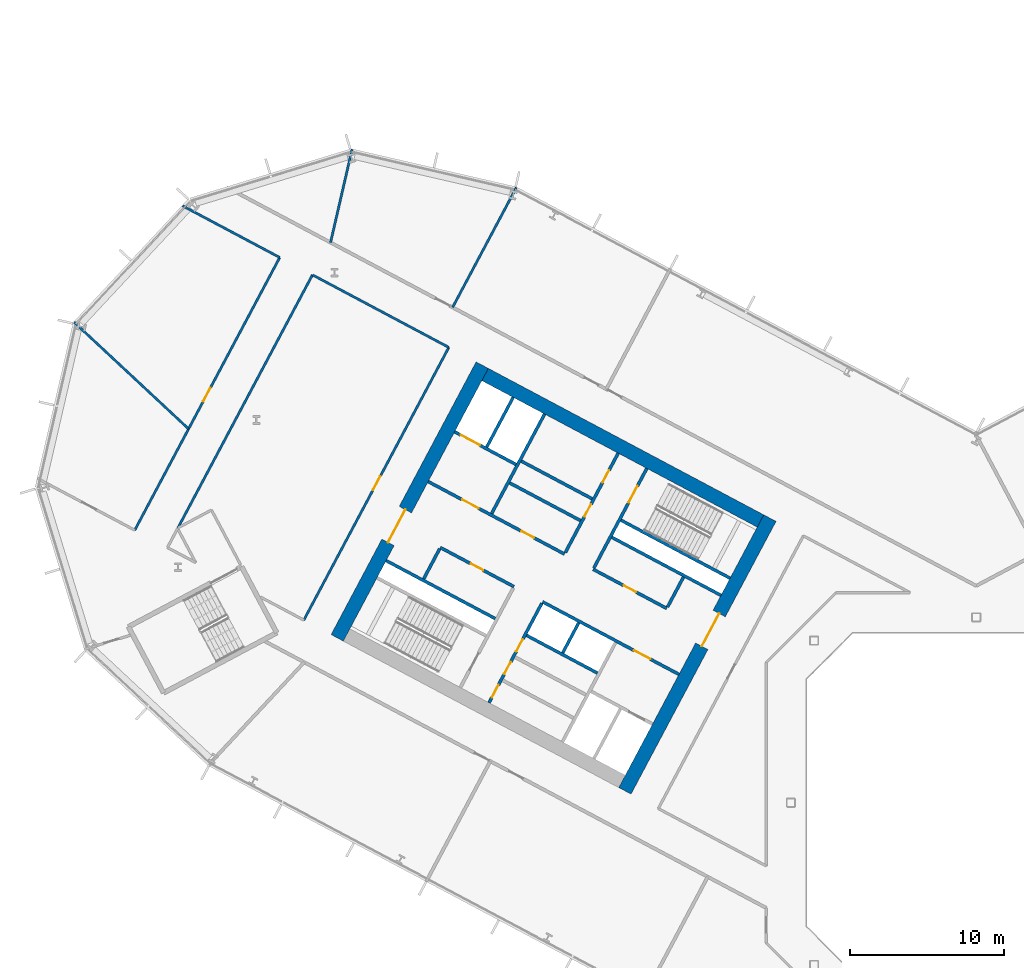
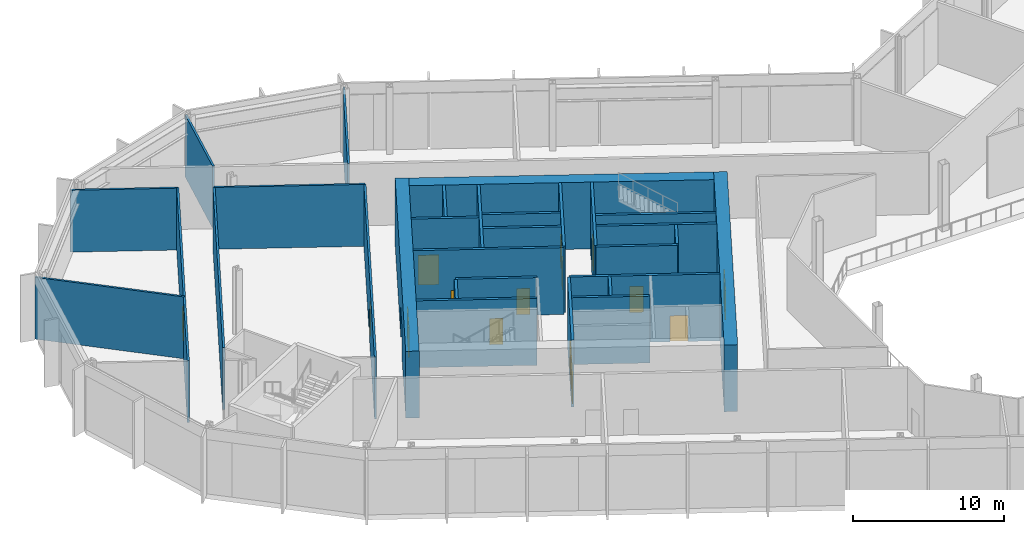
# One storey, part 13 of 32: 30 walls, 16 doors, 16 openings.
"""IFC4 building model written with IfcOpenShell, lengths in metres."""

from ifc_helpers import new_model, si_unit, direction, frame, frame_2d, origin, place, context, subcontext, project, spatial, rectangle, extrude, material, layer, layer_set, type_object, element, fill, save


model = new_model("IFC4")

# Units and contexts
model_context = context("Model", 3, precision=1e-05, world=origin(), true_north=direction((0.0, 1.0)))
body_context = subcontext(model_context, "Body", "Model", "MODEL_VIEW")
ifc_project = project(units=[si_unit("LENGTHUNIT", "METRE"), si_unit("AREAUNIT", "SQUARE_METRE"), si_unit("VOLUMEUNIT", "CUBIC_METRE"), si_unit("PLANEANGLEUNIT", "RADIAN"), si_unit("MASSUNIT", "GRAM", prefix="KILO")], contexts=[model_context])

# Site, building, storey
site_placement = place(None, origin())
site = spatial("IfcSite", under=ifc_project, at=site_placement, CompositionType="ELEMENT")
building_placement = place(site_placement, origin())
building = spatial("IfcBuilding", under=site, at=building_placement, Name="Cormorant Relay Tower", CompositionType="ELEMENT")
storey_placement = place(building_placement, frame((0.0, 0.0, 60.800048828125)))
storey = spatial("IfcBuildingStorey", under=building, at=storey_placement, Name="L11", CompositionType="ELEMENT", Elevation=60.800048828125)

# Walls
ifc_material_1 = material(Name="Concrete 40 MPa", Category="concrete")
ifc_layer_1 = layer(ifc_material_1, 0.199951171875)
ifc_layer_set_1 = layer_set([ifc_layer_1], Name="Core internal wall 200")
wall_type_1 = type_object("IfcWallType", Name="Core internal wall 200", PredefinedType="SOLIDWALL", material=ifc_layer_set_1)
wall_1_placement = place(storey_placement, frame((-25.744140625, 11.64990234375, 0.0), z_axis=(0.0, 0.0, 1.0), x_axis=(-0.469487830541, -0.882938942948, 0.0)))
element("IfcWall", 1, at=wall_1_placement, inside=storey, type_object=wall_type_1, Name="L11 core A shaft and room wall", PredefinedType="SOLIDWALL", context=body_context, shape_type="SweptSolid", body=[
    extrude(rectangle(XDim=2.2001953125, YDim=0.199951171875, at=frame_2d((1.10009765625, 0.0))), origin(), (0.0, 0.0, 1.0), 5.39990234375),
])
wall_2_placement = place(storey_placement, frame((-24.8720703125, 19.680419921875, 0.0), z_axis=(0.0, 0.0, 1.0), x_axis=(-0.882953967957, 0.469459572775, 0.0)))
element("IfcWall", 2, at=wall_2_placement, inside=storey, type_object=wall_type_1, Name="L11 core A shaft and room wall", PredefinedType="SOLIDWALL", context=body_context, shape_type="SweptSolid", body=[
    extrude(rectangle(XDim=5.199951171875, YDim=0.199951171875, at=frame_2d((2.60009765625, 0.0))), origin(), (0.0, 0.0, 1.0), 5.39990234375),
])
ifc_material_2 = material(Name="Concrete 50 MPa", Category="concrete")
ifc_layer_2 = layer(ifc_material_2, 0.199951171875)
ifc_layer_set_2 = layer_set([ifc_layer_2], Name="Core shaft wall 200")
wall_type_2 = type_object("IfcWallType", Name="Core shaft wall 200", PredefinedType="SHEAR", material=ifc_layer_set_2)
wall_3_placement = place(storey_placement, frame((-18.959716796875, 14.611328125, 0.0), z_axis=(0.0, 0.0, 1.0), x_axis=(-0.4694473164, -0.882960484464, 0.0)))
element("IfcWall", 3, at=wall_3_placement, inside=storey, type_object=wall_type_2, Name="L11 core A shaft wall", PredefinedType="SHEAR", context=body_context, shape_type="SweptSolid", body=[
    extrude(rectangle(XDim=2.199951171875, YDim=0.199951171875, at=frame_2d((1.10009765625, 0.0))), origin(), (0.0, 0.0, 1.0), 5.39990234375),
])

# Wall, opening, door
wall_4_placement = place(storey_placement, frame((-21.333251953125, 21.6494140625, 0.0), z_axis=(0.0, 0.0, 1.0), x_axis=(-0.469494272526, -0.882935517501, 0.0)))
wall_4 = element("IfcWall", 4, at=wall_4_placement, inside=storey, type_object=wall_type_2, Name="L11 core A shaft wall", PredefinedType="SHEAR", context=body_context, shape_type="SweptSolid", body=[
    extrude(rectangle(XDim=7.2998046875, YDim=0.199951171875, at=frame_2d((3.64990234375, 0.0))), origin(), (0.0, 0.0, 1.0), 5.39990234375),
])
opening_1_placement = place(wall_4_placement, frame((1.300048828125, 0.0, 0.0)))
opening_1 = element("IfcOpeningElement", 5, at=opening_1_placement, cuts=wall_4, Name="Opening CDB-019", PredefinedType="OPENING", context=body_context, shape_type="SweptSolid", body=[
    extrude(rectangle(XDim=1.199951171875, YDim=2.10009765625, at=frame_2d((0.60009765625, 1.050048828125))), frame((0.0, 0.10986328125, 0.0), z_axis=(0.0, -1.0, 0.0), x_axis=(1.0, 0.0, 0.0)), (0.0, 0.0, 1.0), 0.219970703125),
])
ifc_material_3 = material(Name="Steel fire door", Category="steel")
door_type_1 = type_object("IfcDoorType", Name="Core stair door 1200x2100", OperationType="SINGLE_SWING_LEFT", PredefinedType="DOOR", material=ifc_material_3)
door_1_placement = place(opening_1_placement, origin())
door_1 = element("IfcDoor", 6, at=door_1_placement, inside=storey, type_object=door_type_1, Name="Core stair door 1200x2100", OperationType="SINGLE_SWING_RIGHT", OverallHeight=2.10009765625, OverallWidth=1.199951171875, PredefinedType="DOOR", context=body_context, shape_type="SweptSolid", body=[
    extrude(rectangle(XDim=1.199951171875, YDim=2.10009765625, at=frame_2d((0.60009765625, 1.050048828125))), frame((0.0, 0.02490234375, 0.0), z_axis=(0.0, -1.0, 0.0), x_axis=(1.0, 0.0, 0.0)), (0.0, 0.0, 1.0), 0.050048828125),
])
fill(opening_1, door_1)

# Wall, openings, doors
wall_5_placement = place(storey_placement, frame((-28.128173828125, 12.91748046875, 0.0), z_axis=(0.0, 0.0, 1.0), x_axis=(-0.469454336211, -0.882956752176, 0.0)))
wall_5 = element("IfcWall", 7, at=wall_5_placement, inside=storey, type_object=wall_type_2, Name="L11 core A shaft wall", PredefinedType="SHEAR", context=body_context, shape_type="SweptSolid", body=[
    extrude(rectangle(XDim=7.300048828125, YDim=0.199951171875, at=frame_2d((3.64990234375, 0.0))), origin(), (0.0, 0.0, 1.0), 5.39990234375),
])
opening_2_placement = place(wall_5_placement, frame((2.64990234375, 0.0, 0.0)))
opening_2 = element("IfcOpeningElement", 8, at=opening_2_placement, cuts=wall_5, Name="Opening CDD-099", PredefinedType="OPENING", context=body_context, shape_type="SweptSolid", body=[
    extrude(rectangle(XDim=0.89990234375, YDim=2.10009765625, at=frame_2d((0.449951171875, 1.050048828125))), frame((0.0, 0.10986328125, 0.0), z_axis=(0.0, -1.0, 0.0), x_axis=(1.0, 0.0, 0.0)), (0.0, 0.0, 1.0), 0.219970703125),
])
opening_3_placement = place(wall_5_placement, frame((4.300048828125, 0.0, 0.0)))
opening_3 = element("IfcOpeningElement", 9, at=opening_3_placement, cuts=wall_5, Name="Opening CDD-100", PredefinedType="OPENING", context=body_context, shape_type="SweptSolid", body=[
    extrude(rectangle(XDim=0.89990234375, YDim=2.10009765625, at=frame_2d((0.449951171875, 1.050048828125))), frame((0.0, 0.10986328125, 0.0), z_axis=(0.0, -1.0, 0.0), x_axis=(1.0, 0.0, 0.0)), (0.0, 0.0, 1.0), 0.219970703125),
])
opening_4_placement = place(wall_5_placement, frame((6.0, 0.0, 0.0)))
opening_4 = element("IfcOpeningElement", 10, at=opening_4_placement, cuts=wall_5, Name="Opening CDD-101", PredefinedType="OPENING", context=body_context, shape_type="SweptSolid", body=[
    extrude(rectangle(XDim=0.89990234375, YDim=2.10009765625, at=frame_2d((0.449951171875, 1.050048828125))), frame((0.0, 0.10986328125, 0.0), z_axis=(0.0, -1.0, 0.0), x_axis=(1.0, 0.0, 0.0)), (0.0, 0.0, 1.0), 0.219970703125),
])
ifc_material_4 = material(Name="Steel fire door", Category="steel")
door_type_2 = type_object("IfcDoorType", Name="Core room door 900x2100", OperationType="SINGLE_SWING_LEFT", PredefinedType="DOOR", material=ifc_material_4)
door_2_placement = place(opening_2_placement, origin())
door_2 = element("IfcDoor", 11, at=door_2_placement, inside=storey, type_object=door_type_2, Name="Core room door 900x2100", OperationType="SINGLE_SWING_LEFT", OverallHeight=2.10009765625, OverallWidth=0.89990234375, PredefinedType="DOOR", context=body_context, shape_type="SweptSolid", body=[
    extrude(rectangle(XDim=0.89990234375, YDim=2.10009765625, at=frame_2d((0.449951171875, 1.050048828125))), frame((0.0, 0.02490234375, 0.0), z_axis=(0.0, -1.0, 0.0), x_axis=(1.0, 0.0, 0.0)), (0.0, 0.0, 1.0), 0.050048828125),
])
fill(opening_2, door_2)
door_3_placement = place(opening_3_placement, origin())
door_3 = element("IfcDoor", 12, at=door_3_placement, inside=storey, type_object=door_type_2, Name="Core room door 900x2100", OperationType="SINGLE_SWING_LEFT", OverallHeight=2.10009765625, OverallWidth=0.89990234375, PredefinedType="DOOR", context=body_context, shape_type="SweptSolid", body=[
    extrude(rectangle(XDim=0.89990234375, YDim=2.10009765625, at=frame_2d((0.449951171875, 1.050048828125))), frame((0.0, 0.02490234375, 0.0), z_axis=(0.0, -1.0, 0.0), x_axis=(1.0, 0.0, 0.0)), (0.0, 0.0, 1.0), 0.050048828125),
])
fill(opening_3, door_3)
door_4_placement = place(opening_4_placement, origin())
door_4 = element("IfcDoor", 13, at=door_4_placement, inside=storey, type_object=door_type_2, Name="Core room door 900x2100", OperationType="SINGLE_SWING_LEFT", OverallHeight=2.10009765625, OverallWidth=0.89990234375, PredefinedType="DOOR", context=body_context, shape_type="SweptSolid", body=[
    extrude(rectangle(XDim=0.89990234375, YDim=2.10009765625, at=frame_2d((0.449951171875, 1.050048828125))), frame((0.0, 0.02490234375, 0.0), z_axis=(0.0, -1.0, 0.0), x_axis=(1.0, 0.0, 0.0)), (0.0, 0.0, 1.0), 0.050048828125),
])
fill(opening_4, door_4)

wall_6_placement = place(storey_placement, frame((-23.1875, 22.635498046875, 0.0), z_axis=(0.0, 0.0, 1.0), x_axis=(-0.469454336211, -0.882956752176, 0.0)))
wall_6 = element("IfcWall", 14, at=wall_6_placement, inside=storey, type_object=wall_type_2, Name="L11 core A shaft wall", PredefinedType="SHEAR", context=body_context, shape_type="SweptSolid", body=[
    extrude(rectangle(XDim=7.300048828125, YDim=0.199951171875, at=frame_2d((3.64990234375, 0.0))), origin(), (0.0, 0.0, 1.0), 5.39990234375),
])
opening_5_placement = place(wall_6_placement, frame((1.25, 0.0, 0.0)))
opening_5 = element("IfcOpeningElement", 15, at=opening_5_placement, cuts=wall_6, Name="Opening CDD-102", PredefinedType="OPENING", context=body_context, shape_type="SweptSolid", body=[
    extrude(rectangle(XDim=0.89990234375, YDim=2.10009765625, at=frame_2d((0.449951171875, 1.050048828125))), frame((0.0, 0.10986328125, 0.0), z_axis=(0.0, -1.0, 0.0), x_axis=(1.0, 0.0, 0.0)), (0.0, 0.0, 1.0), 0.219970703125),
])
opening_6_placement = place(wall_6_placement, frame((3.75, 0.0, 0.0)))
opening_6 = element("IfcOpeningElement", 16, at=opening_6_placement, cuts=wall_6, Name="Opening CDD-103", PredefinedType="OPENING", context=body_context, shape_type="SweptSolid", body=[
    extrude(rectangle(XDim=0.89990234375, YDim=2.10009765625, at=frame_2d((0.449951171875, 1.050048828125))), frame((0.0, 0.10986328125, 0.0), z_axis=(0.0, -1.0, 0.0), x_axis=(1.0, 0.0, 0.0)), (0.0, 0.0, 1.0), 0.219970703125),
])
door_5_placement = place(opening_5_placement, origin())
door_5 = element("IfcDoor", 17, at=door_5_placement, inside=storey, type_object=door_type_2, Name="Core room door 900x2100", OperationType="SINGLE_SWING_LEFT", OverallHeight=2.10009765625, OverallWidth=0.89990234375, PredefinedType="DOOR", context=body_context, shape_type="SweptSolid", body=[
    extrude(rectangle(XDim=0.89990234375, YDim=2.10009765625, at=frame_2d((0.449951171875, 1.050048828125))), frame((0.0, 0.02490234375, 0.0), z_axis=(0.0, -1.0, 0.0), x_axis=(1.0, 0.0, 0.0)), (0.0, 0.0, 1.0), 0.050048828125),
])
fill(opening_5, door_5)
door_6_placement = place(opening_6_placement, frame((0.89990234375, 0.0, 0.0), z_axis=(0.0, 0.0, 1.0), x_axis=(-1.0, 0.0, 0.0)))
door_6 = element("IfcDoor", 18, at=door_6_placement, inside=storey, type_object=door_type_2, Name="Core room door 900x2100", OperationType="SINGLE_SWING_RIGHT", OverallHeight=2.10009765625, OverallWidth=0.89990234375, PredefinedType="DOOR", context=body_context, shape_type="SweptSolid", body=[
    extrude(rectangle(XDim=0.89990234375, YDim=2.10009765625, at=frame_2d((0.449951171875, 1.050048828125))), frame((0.0, 0.02490234375, 0.0), z_axis=(0.0, -1.0, 0.0), x_axis=(1.0, 0.0, 0.0)), (0.0, 0.0, 1.0), 0.050048828125),
])
fill(opening_6, door_6)

# Walls
wall_7_placement = place(storey_placement, frame((-27.955322265625, 25.170654296875, 0.0), z_axis=(0.0, 0.0, 1.0), x_axis=(-0.469480409012, -0.88294288918, 0.0)))
element("IfcWall", 19, at=wall_7_placement, inside=storey, type_object=wall_type_2, Name="L11 core A shaft wall", PredefinedType="SHEAR", context=body_context, shape_type="SweptSolid", body=[
    extrude(rectangle(XDim=7.300048828125, YDim=0.199951171875, at=frame_2d((3.64990234375, 0.0))), origin(), (0.0, 0.0, 1.0), 5.39990234375),
])
wall_8_placement = place(storey_placement, frame((-34.750244140625, 16.4384765625, 0.0), z_axis=(0.0, 0.0, 1.0), x_axis=(-0.469401318492, -0.882984938828, 0.0)))
element("IfcWall", 20, at=wall_8_placement, inside=storey, type_object=wall_type_2, Name="L11 core A shaft wall", PredefinedType="SHEAR", context=body_context, shape_type="SweptSolid", body=[
    extrude(rectangle(XDim=2.199951171875, YDim=0.199951171875, at=frame_2d((1.10009765625, 0.0))), origin(), (0.0, 0.0, 1.0), 5.39990234375),
])
wall_9_placement = place(storey_placement, frame((-29.986083984375, 26.250244140625, 0.0), z_axis=(0.0, 0.0, 1.0), x_axis=(-0.469494272526, -0.882935517501, 0.0)))
element("IfcWall", 21, at=wall_9_placement, inside=storey, type_object=wall_type_2, Name="L11 core A shaft wall", PredefinedType="SHEAR", context=body_context, shape_type="SweptSolid", body=[
    extrude(rectangle(XDim=3.64990234375, YDim=0.199951171875, at=frame_2d((1.824951171875, 0.0))), origin(), (0.0, 0.0, 1.0), 5.39990234375),
])
wall_10_placement = place(storey_placement, frame((-15.94189453125, 14.53564453125, 0.0), z_axis=(0.0, 0.0, 1.0), x_axis=(-0.882946947542, 0.469472776449, 0.0)))
element("IfcWall", 22, at=wall_10_placement, inside=storey, type_object=wall_type_2, Name="L11 core A shaft wall", PredefinedType="SHEAR", context=body_context, shape_type="SweptSolid", body=[
    extrude(rectangle(XDim=8.000244140625, YDim=0.199951171875, at=frame_2d((4.0, 0.0))), origin(), (0.0, 0.0, 1.0), 5.39990234375),
])

# Wall, opening, door
wall_11_placement = place(storey_placement, frame((-29.80419921875, 21.906494140625, 0.0), z_axis=(0.0, 0.0, 1.0), x_axis=(-0.882960433586, 0.469447412093, 0.0)))
wall_11 = element("IfcWall", 23, at=wall_11_placement, inside=storey, type_object=wall_type_2, Name="L11 core A shaft wall", PredefinedType="SHEAR", context=body_context, shape_type="SweptSolid", body=[
    extrude(rectangle(XDim=4.5, YDim=0.199951171875, at=frame_2d((2.25, 0.0))), origin(), (0.0, 0.0, 1.0), 5.39990234375),
])
opening_7_placement = place(wall_11_placement, frame((2.64990234375, 0.0, 0.0)))
opening_7 = element("IfcOpeningElement", 24, at=opening_7_placement, cuts=wall_11, Name="Opening LD3-007", PredefinedType="OPENING", context=body_context, shape_type="SweptSolid", body=[
    extrude(rectangle(XDim=1.39990234375, YDim=2.39990234375, at=frame_2d((0.699951171875, 1.199951171875))), frame((0.0, 0.10986328125, 0.0), z_axis=(0.0, -1.0, 0.0), x_axis=(1.0, 0.0, 0.0)), (0.0, 0.0, 1.0), 0.219970703125),
])
ifc_material_5 = material(Name="Stainless steel 316", Category="steel")
door_type_3 = type_object("IfcDoorType", Name="Lift landing door 1400x2400", OperationType="DOUBLE_DOOR_SLIDING", PredefinedType="DOOR", material=ifc_material_5)
door_7_placement = place(opening_7_placement, origin())
door_7 = element("IfcDoor", 25, at=door_7_placement, inside=storey, type_object=door_type_3, Name="SV1 landing door", OperationType="DOUBLE_DOOR_SLIDING", OverallHeight=2.39990234375, OverallWidth=1.39990234375, PredefinedType="DOOR", context=body_context, shape_type="SweptSolid", body=[
    extrude(rectangle(XDim=1.39990234375, YDim=2.39990234375, at=frame_2d((0.699951171875, 1.199951171875))), frame((0.0, 0.02490234375, 0.0), z_axis=(0.0, -1.0, 0.0), x_axis=(1.0, 0.0, 0.0)), (0.0, 0.0, 1.0), 0.050048828125),
])
fill(opening_7, door_7)

# Walls
wall_12_placement = place(storey_placement, frame((-16.52880859375, 13.43212890625, 0.0), z_axis=(0.0, 0.0, 1.0), x_axis=(-0.88295287151, 0.469461634952, 0.0)))
element("IfcWall", 26, at=wall_12_placement, inside=storey, type_object=wall_type_2, Name="L11 core A shaft wall", PredefinedType="SHEAR", context=body_context, shape_type="SweptSolid", body=[
    extrude(rectangle(XDim=7.999755859375, YDim=0.199951171875, at=frame_2d((4.0, 0.0))), origin(), (0.0, 0.0, 1.0), 5.39990234375),
])
wall_13_placement = place(storey_placement, frame((-25.623046875, 18.267578125, 0.0), z_axis=(0.0, 0.0, 1.0), x_axis=(-0.882953967957, 0.469459572775, 0.0)))
element("IfcWall", 27, at=wall_13_placement, inside=storey, type_object=wall_type_2, Name="L11 core A shaft wall", PredefinedType="SHEAR", context=body_context, shape_type="SweptSolid", body=[
    extrude(rectangle(XDim=5.199951171875, YDim=0.199951171875, at=frame_2d((2.60009765625, 0.0))), origin(), (0.0, 0.0, 1.0), 5.39990234375),
])

# Wall, opening, door
wall_14_placement = place(storey_placement, frame((-20.03955078125, 12.58056640625, 0.0), z_axis=(0.0, 0.0, 1.0), x_axis=(-0.882942972946, 0.469480251476, 0.0)))
wall_14 = element("IfcWall", 28, at=wall_14_placement, inside=storey, type_object=wall_type_2, Name="L11 core A shaft wall", PredefinedType="SHEAR", context=body_context, shape_type="SweptSolid", body=[
    extrude(rectangle(XDim=5.39990234375, YDim=0.199951171875, at=frame_2d((2.699951171875, 0.0))), origin(), (0.0, 0.0, 1.0), 5.39990234375),
])
opening_8_placement = place(wall_14_placement, frame((2.25, 0.0, 0.0)))
opening_8 = element("IfcOpeningElement", 29, at=opening_8_placement, cuts=wall_14, Name="Opening CDD-082", PredefinedType="OPENING", context=body_context, shape_type="SweptSolid", body=[
    extrude(rectangle(XDim=0.89990234375, YDim=2.10009765625, at=frame_2d((0.449951171875, 1.050048828125))), frame((0.0, 0.10986328125, 0.0), z_axis=(0.0, -1.0, 0.0), x_axis=(1.0, 0.0, 0.0)), (0.0, 0.0, 1.0), 0.219970703125),
])
door_8_placement = place(opening_8_placement, frame((0.89990234375, 0.0, 0.0), z_axis=(0.0, 0.0, 1.0), x_axis=(-1.0, 0.0, 0.0)))
door_8 = element("IfcDoor", 30, at=door_8_placement, inside=storey, type_object=door_type_2, Name="Core room door 900x2100", OperationType="SINGLE_SWING_RIGHT", OverallHeight=2.10009765625, OverallWidth=0.89990234375, PredefinedType="DOOR", context=body_context, shape_type="SweptSolid", body=[
    extrude(rectangle(XDim=0.89990234375, YDim=2.10009765625, at=frame_2d((0.449951171875, 1.050048828125))), frame((0.0, 0.02490234375, 0.0), z_axis=(0.0, -1.0, 0.0), x_axis=(1.0, 0.0, 0.0)), (0.0, 0.0, 1.0), 0.050048828125),
])
fill(opening_8, door_8)

# Wall, openings, doors
wall_15_placement = place(storey_placement, frame((-26.66162109375, 16.1015625, 0.0), z_axis=(0.0, 0.0, 1.0), x_axis=(-0.882940221191, 0.469485426614, 0.0)))
wall_15 = element("IfcWall", 31, at=wall_15_placement, inside=storey, type_object=wall_type_2, Name="L11 core A shaft wall", PredefinedType="SHEAR", context=body_context, shape_type="SweptSolid", body=[
    extrude(rectangle(XDim=10.0, YDim=0.199951171875, at=frame_2d((5.0, 0.0))), origin(), (0.0, 0.0, 1.0), 5.39990234375),
])
opening_9_placement = place(wall_15_placement, frame((6.300048828125, 0.0, 0.0)))
opening_9 = element("IfcOpeningElement", 32, at=opening_9_placement, cuts=wall_15, Name="Opening CDC-014", PredefinedType="OPENING", context=body_context, shape_type="SweptSolid", body=[
    extrude(rectangle(XDim=1.199951171875, YDim=2.10009765625, at=frame_2d((0.60009765625, 1.050048828125))), frame((0.0, 0.10986328125, 0.0), z_axis=(0.0, -1.0, 0.0), x_axis=(1.0, 0.0, 0.0)), (0.0, 0.0, 1.0), 0.219970703125),
])
opening_10_placement = place(wall_15_placement, frame((2.25, 0.0, 0.0)))
opening_10 = element("IfcOpeningElement", 33, at=opening_10_placement, cuts=wall_15, Name="Opening CDD-098", PredefinedType="OPENING", context=body_context, shape_type="SweptSolid", body=[
    extrude(rectangle(XDim=0.89990234375, YDim=2.10009765625, at=frame_2d((0.449951171875, 1.050048828125))), frame((0.0, 0.10986328125, 0.0), z_axis=(0.0, -1.0, 0.0), x_axis=(1.0, 0.0, 0.0)), (0.0, 0.0, 1.0), 0.219970703125),
])
ifc_material_6 = material(Name="Steel fire door", Category="steel")
door_type_4 = type_object("IfcDoorType", Name="Core lobby door 1200x2100", OperationType="SINGLE_SWING_LEFT", PredefinedType="DOOR", material=ifc_material_6)
door_9_placement = place(opening_9_placement, origin())
door_9 = element("IfcDoor", 34, at=door_9_placement, inside=storey, type_object=door_type_4, Name="Core lobby door 1200x2100", OperationType="SINGLE_SWING_LEFT", OverallHeight=2.10009765625, OverallWidth=1.199951171875, PredefinedType="DOOR", context=body_context, shape_type="SweptSolid", body=[
    extrude(rectangle(XDim=1.199951171875, YDim=2.10009765625, at=frame_2d((0.60009765625, 1.050048828125))), frame((0.0, 0.02490234375, 0.0), z_axis=(0.0, -1.0, 0.0), x_axis=(1.0, 0.0, 0.0)), (0.0, 0.0, 1.0), 0.050048828125),
])
fill(opening_9, door_9)
door_10_placement = place(opening_10_placement, frame((0.89990234375, 0.0, 0.0), z_axis=(0.0, 0.0, 1.0), x_axis=(-1.0, 0.0, 0.0)))
door_10 = element("IfcDoor", 35, at=door_10_placement, inside=storey, type_object=door_type_2, Name="Core room door 900x2100", OperationType="SINGLE_SWING_RIGHT", OverallHeight=2.10009765625, OverallWidth=0.89990234375, PredefinedType="DOOR", context=body_context, shape_type="SweptSolid", body=[
    extrude(rectangle(XDim=0.89990234375, YDim=2.10009765625, at=frame_2d((0.449951171875, 1.050048828125))), frame((0.0, 0.02490234375, 0.0), z_axis=(0.0, -1.0, 0.0), x_axis=(1.0, 0.0, 0.0)), (0.0, 0.0, 1.0), 0.050048828125),
])
fill(opening_10, door_10)

# Wall, opening, door
wall_16_placement = place(storey_placement, frame((-19.251708984375, 8.31103515625, 0.0), z_axis=(0.0, 0.0, 1.0), x_axis=(-0.882955722218, 0.469456273365, 0.0)))
wall_16 = element("IfcWall", 36, at=wall_16_placement, inside=storey, type_object=wall_type_2, Name="L11 core A shaft wall", PredefinedType="SHEAR", context=body_context, shape_type="SweptSolid", body=[
    extrude(rectangle(XDim=10.0, YDim=0.199951171875, at=frame_2d((5.0, 0.0))), origin(), (0.0, 0.0, 1.0), 5.39990234375),
])
opening_11_placement = place(wall_16_placement, frame((2.10009765625, 0.0, 0.0)))
opening_11 = element("IfcOpeningElement", 37, at=opening_11_placement, cuts=wall_16, Name="Opening CDC-013", PredefinedType="OPENING", context=body_context, shape_type="SweptSolid", body=[
    extrude(rectangle(XDim=1.199951171875, YDim=2.10009765625, at=frame_2d((0.60009765625, 1.050048828125))), frame((0.0, 0.10986328125, 0.0), z_axis=(0.0, -1.0, 0.0), x_axis=(1.0, 0.0, 0.0)), (0.0, 0.0, 1.0), 0.219970703125),
])
door_11_placement = place(opening_11_placement, origin())
door_11 = element("IfcDoor", 38, at=door_11_placement, inside=storey, type_object=door_type_4, Name="Core lobby door 1200x2100", OperationType="SINGLE_SWING_RIGHT", OverallHeight=2.10009765625, OverallWidth=1.199951171875, PredefinedType="DOOR", context=body_context, shape_type="SweptSolid", body=[
    extrude(rectangle(XDim=1.199951171875, YDim=2.10009765625, at=frame_2d((0.60009765625, 1.050048828125))), frame((0.0, 0.02490234375, 0.0), z_axis=(0.0, -1.0, 0.0), x_axis=(1.0, 0.0, 0.0)), (0.0, 0.0, 1.0), 0.050048828125),
])
fill(opening_11, door_11)

wall_17_placement = place(storey_placement, frame((-29.935302734375, 13.991455078125, 0.0), z_axis=(0.0, 0.0, 1.0), x_axis=(-0.882952937579, 0.469461510692, 0.0)))
wall_17 = element("IfcWall", 39, at=wall_17_placement, inside=storey, type_object=wall_type_2, Name="L11 core A shaft wall", PredefinedType="SHEAR", context=body_context, shape_type="SweptSolid", body=[
    extrude(rectangle(XDim=5.400146484375, YDim=0.199951171875, at=frame_2d((2.7001953125, 0.0))), origin(), (0.0, 0.0, 1.0), 5.39990234375),
])
opening_12_placement = place(wall_17_placement, frame((2.25, 0.0, 0.0)))
opening_12 = element("IfcOpeningElement", 40, at=opening_12_placement, cuts=wall_17, Name="Opening CDD-081", PredefinedType="OPENING", context=body_context, shape_type="SweptSolid", body=[
    extrude(rectangle(XDim=0.89990234375, YDim=2.10009765625, at=frame_2d((0.449951171875, 1.050048828125))), frame((0.0, 0.10986328125, 0.0), z_axis=(0.0, -1.0, 0.0), x_axis=(1.0, 0.0, 0.0)), (0.0, 0.0, 1.0), 0.219970703125),
])
door_12_placement = place(opening_12_placement, origin())
door_12 = element("IfcDoor", 41, at=door_12_placement, inside=storey, type_object=door_type_2, Name="Core room door 900x2100", OperationType="SINGLE_SWING_LEFT", OverallHeight=2.10009765625, OverallWidth=0.89990234375, PredefinedType="DOOR", context=body_context, shape_type="SweptSolid", body=[
    extrude(rectangle(XDim=0.89990234375, YDim=2.10009765625, at=frame_2d((0.449951171875, 1.050048828125))), frame((0.0, 0.02490234375, 0.0), z_axis=(0.0, -1.0, 0.0), x_axis=(1.0, 0.0, 0.0)), (0.0, 0.0, 1.0), 0.050048828125),
])
fill(opening_12, door_12)

# Walls
wall_18_placement = place(storey_placement, frame((-24.5283203125, 8.3984375, 0.0), z_axis=(0.0, 0.0, 1.0), x_axis=(-0.882953967957, 0.469459572775, 0.0)))
element("IfcWall", 42, at=wall_18_placement, inside=storey, type_object=wall_type_2, Name="L11 core A shaft wall", PredefinedType="SHEAR", context=body_context, shape_type="SweptSolid", body=[
    extrude(rectangle(XDim=5.199951171875, YDim=0.199951171875, at=frame_2d((2.60009765625, 0.0))), origin(), (0.0, 0.0, 1.0), 5.39990234375),
])
wall_19_placement = place(storey_placement, frame((-31.150390625, 11.91943359375, 0.0), z_axis=(0.0, 0.0, 1.0), x_axis=(-0.882940221191, 0.469485426614, 0.0)))
element("IfcWall", 43, at=wall_19_placement, inside=storey, type_object=wall_type_2, Name="L11 core A shaft wall", PredefinedType="SHEAR", context=body_context, shape_type="SweptSolid", body=[
    extrude(rectangle(XDim=8.0, YDim=0.199951171875, at=frame_2d((4.0, 0.0))), origin(), (0.0, 0.0, 1.0), 5.39990234375),
])

# Wall, opening, door
ifc_material_7 = material(Name="Concrete 70 MPa", Category="concrete")
ifc_layer_3 = layer(ifc_material_7, 0.89990234375)
ifc_layer_set_3 = layer_set([ifc_layer_3], Name="Core wall 900")
wall_type_3 = type_object("IfcWallType", Name="Core wall 900", PredefinedType="SHEAR", material=ifc_layer_set_3)
wall_20_placement = place(storey_placement, frame((-13.361572265625, 18.43017578125, 0.0), z_axis=(0.0, 0.0, 1.0), x_axis=(-0.46947084998, -0.882947971864, 0.0)))
wall_20 = element("IfcWall", 44, at=wall_20_placement, inside=storey, type_object=wall_type_3, Name="L11 core A wall", PredefinedType="SHEAR", context=body_context, shape_type="SweptSolid", body=[
    extrude(rectangle(XDim=20.0, YDim=0.89990234375, at=frame_2d((10.0, 0.0))), origin(), (0.0, 0.0, 1.0), 5.39990234375),
])
opening_13_placement = place(wall_20_placement, frame((7.0, 0.0, 0.0)))
opening_13 = element("IfcOpeningElement", 45, at=opening_13_placement, cuts=wall_20, Name="Opening CDA-013", PredefinedType="OPENING", context=body_context, shape_type="SweptSolid", body=[
    extrude(rectangle(XDim=2.39990234375, YDim=2.39990234375, at=frame_2d((1.199951171875, 1.199951171875))), frame((0.0, 0.4599609375, 0.0), z_axis=(0.0, -1.0, 0.0), x_axis=(1.0, 0.0, 0.0)), (0.0, 0.0, 1.0), 0.919921875),
])
ifc_material_8 = material(Name="Steel fire door", Category="steel")
door_type_5 = type_object("IfcDoorType", Name="Core lobby door 2400x2400", OperationType="DOUBLE_DOOR_SINGLE_SWING", PredefinedType="DOOR", material=ifc_material_8)
door_13_placement = place(opening_13_placement, frame((2.39990234375, 0.0, 0.0), z_axis=(0.0, 0.0, 1.0), x_axis=(-1.0, 0.0, 0.0)))
door_13 = element("IfcDoor", 46, at=door_13_placement, inside=storey, type_object=door_type_5, Name="Core lobby door 2400x2400", OperationType="DOUBLE_DOOR_SINGLE_SWING", OverallHeight=2.39990234375, OverallWidth=2.39990234375, PredefinedType="DOOR", context=body_context, shape_type="SweptSolid", body=[
    extrude(rectangle(XDim=2.39990234375, YDim=2.39990234375, at=frame_2d((1.199951171875, 1.199951171875))), frame((0.0, 0.02490234375, 0.0), z_axis=(0.0, -1.0, 0.0), x_axis=(1.0, 0.0, 0.0)), (0.0, 0.0, 1.0), 0.050048828125),
])
fill(opening_13, door_13)

wall_21_placement = place(storey_placement, frame((-31.99169921875, 28.3359375, 0.0), z_axis=(0.0, 0.0, 1.0), x_axis=(-0.46947084998, -0.882947971864, 0.0)))
wall_21 = element("IfcWall", 47, at=wall_21_placement, inside=storey, type_object=wall_type_3, Name="L11 core A wall", PredefinedType="SHEAR", context=body_context, shape_type="SweptSolid", body=[
    extrude(rectangle(XDim=20.0, YDim=0.89990234375, at=frame_2d((10.0, 0.0))), origin(), (0.0, 0.0, 1.0), 5.39990234375),
])
opening_14_placement = place(wall_21_placement, frame((10.60009765625, 0.0, 0.0)))
opening_14 = element("IfcOpeningElement", 48, at=opening_14_placement, cuts=wall_21, Name="Opening CDA-014", PredefinedType="OPENING", context=body_context, shape_type="SweptSolid", body=[
    extrude(rectangle(XDim=2.39990234375, YDim=2.39990234375, at=frame_2d((1.199951171875, 1.199951171875))), frame((0.0, 0.4599609375, 0.0), z_axis=(0.0, -1.0, 0.0), x_axis=(1.0, 0.0, 0.0)), (0.0, 0.0, 1.0), 0.919921875),
])
door_14_placement = place(opening_14_placement, origin())
door_14 = element("IfcDoor", 49, at=door_14_placement, inside=storey, type_object=door_type_5, Name="Core lobby door 2400x2400", OperationType="DOUBLE_DOOR_SINGLE_SWING", OverallHeight=2.39990234375, OverallWidth=2.39990234375, PredefinedType="DOOR", context=body_context, shape_type="SweptSolid", body=[
    extrude(rectangle(XDim=2.39990234375, YDim=2.39990234375, at=frame_2d((1.199951171875, 1.199951171875))), frame((0.0, 0.02490234375, 0.0), z_axis=(0.0, -1.0, 0.0), x_axis=(1.0, 0.0, 0.0)), (0.0, 0.0, 1.0), 0.050048828125),
])
fill(opening_14, door_14)

# Wall
wall_22_placement = place(storey_placement, frame((-13.97021484375, 18.244140625, 0.0), z_axis=(0.0, 0.0, 1.0), x_axis=(-0.88294509198, 0.469476266226, 0.0)))
element("IfcWall", 50, at=wall_22_placement, inside=storey, type_object=wall_type_3, Name="L11 core A wall", PredefinedType="SHEAR", context=body_context, shape_type="SweptSolid", body=[
    extrude(rectangle(XDim=20.199951171875, YDim=0.89990234375, at=frame_2d((10.10009765625, 0.0))), origin(), (0.0, 0.0, 1.0), 5.39990234375),
])

# Wall, opening, door
ifc_material_9 = material(Name="Gypsum board partition")
ifc_layer_4 = layer(ifc_material_9, 0.14990234375)
ifc_layer_set_4 = layer_set([ifc_layer_4], Name="Gypsum board partition 150")
wall_type_4 = type_object("IfcWallType", Name="Gypsum board partition 150", PredefinedType="PARTITIONING", material=ifc_layer_set_4)
wall_23_placement = place(storey_placement, frame((-54.492919921875, 17.64892578125, 0.0), z_axis=(0.0, 0.0, 1.0), x_axis=(0.469446756585, 0.882960782103, 0.0)))
wall_23 = element("IfcWall", 51, at=wall_23_placement, inside=storey, type_object=wall_type_4, Name="wall/L11/part/1", PredefinedType="PARTITIONING", context=body_context, shape_type="SweptSolid", body=[
    extrude(rectangle(XDim=20.0, YDim=0.14990234375, at=frame_2d((10.0, 0.0))), origin(), (0.0, 0.0, 1.0), 5.0),
])
opening_15_placement = place(wall_23_placement, frame((9.449951171875, 0.0, 0.0)))
opening_15 = element("IfcOpeningElement", 52, at=opening_15_placement, cuts=wall_23, Name="Opening D1-022", PredefinedType="OPENING", context=body_context, shape_type="SweptSolid", body=[
    extrude(rectangle(XDim=1.0, YDim=2.10009765625, at=frame_2d((0.5, 1.050048828125))), frame((0.0, 0.0849609375, 0.0), z_axis=(0.0, -1.0, 0.0), x_axis=(1.0, 0.0, 0.0)), (0.0, 0.0, 1.0), 0.169921875),
])
ifc_material_10 = material(Name="Painted steel door", Category="steel")
door_type_6 = type_object("IfcDoorType", Name="Single door 1000 x 2100", OperationType="SINGLE_SWING_LEFT", PredefinedType="DOOR", material=ifc_material_10)
door_15_placement = place(opening_15_placement, origin())
door_15 = element("IfcDoor", 53, at=door_15_placement, inside=storey, type_object=door_type_6, Name="door/L11/1", OperationType="SINGLE_SWING_RIGHT", OverallHeight=2.10009765625, OverallWidth=1.0, PredefinedType="DOOR", context=body_context, shape_type="SweptSolid", body=[
    extrude(rectangle(XDim=1.0, YDim=2.10009765625, at=frame_2d((0.5, 1.050048828125))), frame((0.0, 0.02490234375, 0.0), z_axis=(0.0, -1.0, 0.0), x_axis=(1.0, 0.0, 0.0)), (0.0, 0.0, 1.0), 0.050048828125),
])
fill(opening_15, door_15)

# Walls
wall_24_placement = place(storey_placement, frame((-45.10400390625, 35.30810546875, 0.0), z_axis=(0.0, 0.0, 1.0), x_axis=(-0.883009246848, 0.469355590125, 0.0)))
element("IfcWall", 54, at=wall_24_placement, inside=storey, type_object=wall_type_4, Name="wall/L11/part/2", PredefinedType="PARTITIONING", context=body_context, shape_type="SweptSolid", body=[
    extrude(rectangle(XDim=7.126708984375, YDim=0.14990234375, at=frame_2d((3.5634765625, 0.0))), origin(), (0.0, 0.0, 1.0), 5.0),
])
wall_25_placement = place(storey_placement, frame((-58.427001953125, 31.125, 0.0), z_axis=(0.0, 0.0, 1.0), x_axis=(0.73145846048, -0.681886002637, 0.0)))
element("IfcWall", 55, at=wall_25_placement, inside=storey, type_object=wall_type_4, Name="wall/L11/part/3", PredefinedType="PARTITIONING", context=body_context, shape_type="SweptSolid", body=[
    extrude(rectangle(XDim=10.145263671875, YDim=0.14990234375, at=frame_2d((5.07275390625, 0.0))), origin(), (0.0, 0.0, 1.0), 5.0),
])
wall_26_placement = place(storey_placement, frame((-51.695068359375, 17.798095703125, 0.0), z_axis=(0.0, 0.0, 1.0), x_axis=(0.469483567396, 0.88294120979, 0.0)))
element("IfcWall", 56, at=wall_26_placement, inside=storey, type_object=wall_type_4, Name="wall/L11/part/12", PredefinedType="PARTITIONING", context=body_context, shape_type="SweptSolid", body=[
    extrude(rectangle(XDim=18.554931640625, YDim=0.14990234375, at=frame_2d((9.27734375, 0.0))), origin(), (0.0, 0.0, 1.0), 5.0),
])
wall_27_placement = place(storey_placement, frame((-42.98388671875, 34.180908203125, 0.0), z_axis=(0.0, 0.0, 1.0), x_axis=(0.882929457898, -0.469505668097, 0.0)))
element("IfcWall", 57, at=wall_27_placement, inside=storey, type_object=wall_type_4, Name="wall/L11/part/13", PredefinedType="PARTITIONING", context=body_context, shape_type="SweptSolid", body=[
    extrude(rectangle(XDim=9.99951171875, YDim=0.14990234375, at=frame_2d((4.999755859375, 0.0))), origin(), (0.0, 0.0, 1.0), 5.0),
])

# Wall, opening, door
wall_28_placement = place(storey_placement, frame((-34.155029296875, 29.486083984375, 0.0), z_axis=(0.0, 0.0, 1.0), x_axis=(-0.469446756585, -0.882960782103, 0.0)))
wall_28 = element("IfcWall", 58, at=wall_28_placement, inside=storey, type_object=wall_type_4, Name="wall/L11/part/14", PredefinedType="PARTITIONING", context=body_context, shape_type="SweptSolid", body=[
    extrude(rectangle(XDim=20.0, YDim=0.14990234375, at=frame_2d((10.0, 0.0))), origin(), (0.0, 0.0, 1.0), 5.0),
])
opening_16_placement = place(wall_28_placement, frame((9.449951171875, 0.0, 0.0)))
opening_16 = element("IfcOpeningElement", 59, at=opening_16_placement, cuts=wall_28, Name="Opening D1-026", PredefinedType="OPENING", context=body_context, shape_type="SweptSolid", body=[
    extrude(rectangle(XDim=1.0, YDim=2.10009765625, at=frame_2d((0.5, 1.050048828125))), frame((0.0, 0.0849609375, 0.0), z_axis=(0.0, -1.0, 0.0), x_axis=(1.0, 0.0, 0.0)), (0.0, 0.0, 1.0), 0.169921875),
])
door_16_placement = place(opening_16_placement, frame((1.0, 0.0, 0.0), z_axis=(0.0, 0.0, 1.0), x_axis=(-1.0, 0.0, 0.0)))
door_16 = element("IfcDoor", 60, at=door_16_placement, inside=storey, type_object=door_type_6, Name="door/L11/3", OperationType="SINGLE_SWING_RIGHT", OverallHeight=2.10009765625, OverallWidth=1.0, PredefinedType="DOOR", context=body_context, shape_type="SweptSolid", body=[
    extrude(rectangle(XDim=1.0, YDim=2.10009765625, at=frame_2d((0.5, 1.050048828125))), frame((0.0, 0.02490234375, 0.0), z_axis=(0.0, -1.0, 0.0), x_axis=(1.0, 0.0, 0.0)), (0.0, 0.0, 1.0), 0.050048828125),
])
fill(opening_16, door_16)

# Walls
wall_29_placement = place(storey_placement, frame((-29.779052734375, 39.845947265625, 0.0), z_axis=(0.0, 0.0, 1.0), x_axis=(-0.469464832647, -0.882951171304, 0.0)))
element("IfcWall", 61, at=wall_29_placement, inside=storey, type_object=wall_type_4, Name="wall/L11/part/17", PredefinedType="PARTITIONING", context=body_context, shape_type="SweptSolid", body=[
    extrude(rectangle(XDim=8.80126953125, YDim=0.14990234375, at=frame_2d((4.400634765625, 0.0))), origin(), (0.0, 0.0, 1.0), 5.0),
])
wall_30_placement = place(storey_placement, frame((-41.81298828125, 36.27587890625, 0.0), z_axis=(0.0, 0.0, 1.0), x_axis=(0.224922797434, 0.974376587975, 0.0)))
element("IfcWall", 62, at=wall_30_placement, inside=storey, type_object=wall_type_4, Name="wall/L11/part/18", PredefinedType="PARTITIONING", context=body_context, shape_type="SweptSolid", body=[
    extrude(rectangle(XDim=6.19775390625, YDim=0.14990234375, at=frame_2d((3.098876953125, 0.0))), origin(), (0.0, 0.0, 1.0), 5.0),
])

save(model, "model.ifc")
